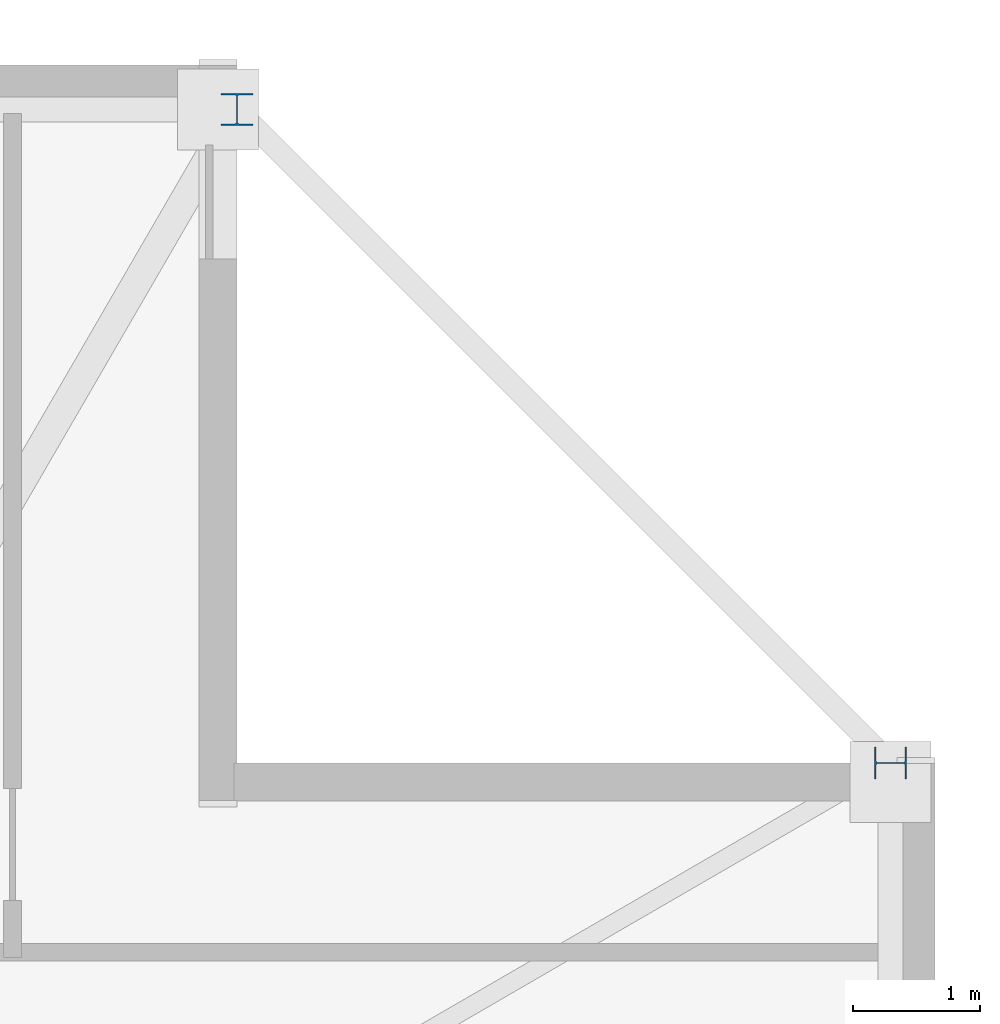
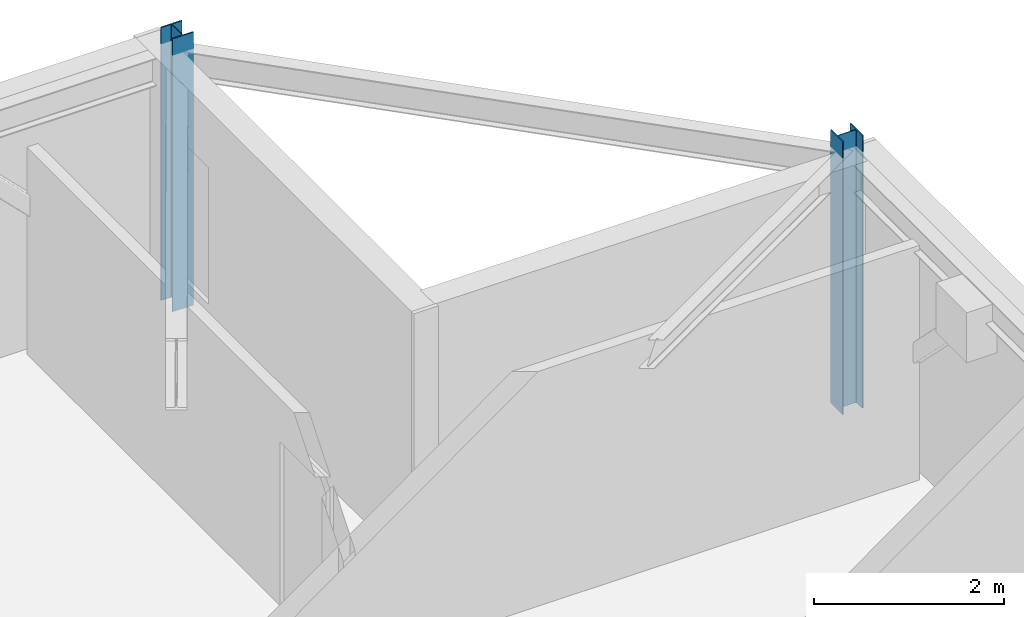
# One storey, part 5 of 15: 2 columns.
"""IFC4 building model written with IfcOpenShell, lengths in metres."""

from ifc_helpers import new_model, si_unit, direction, frame, origin, origin_2d, place, context, subcontext, project, spatial, i_section, extrude, material, material_profile, profile_set, type_object, element, save


model = new_model("IFC4")

# Units and contexts
model_context = context("Model", 3, precision=1e-05, world=origin(), true_north=direction((0.0, 1.0)))
body_context = subcontext(model_context, "Body", "Model", "MODEL_VIEW")
ifc_project = project(units=[si_unit("LENGTHUNIT", "METRE"), si_unit("AREAUNIT", "SQUARE_METRE"), si_unit("VOLUMEUNIT", "CUBIC_METRE"), si_unit("PLANEANGLEUNIT", "RADIAN"), si_unit("MASSUNIT", "GRAM", prefix="KILO")], contexts=[model_context])

# Site, building, storey
site_placement = place(None, origin())
site = spatial("IfcSite", under=ifc_project, at=site_placement, CompositionType="ELEMENT")
building_placement = place(site_placement, origin())
building = spatial("IfcBuilding", under=site, at=building_placement, Name="Cairnveth Concourse Tower", CompositionType="ELEMENT")
storey_placement = place(building_placement, frame((0.0, 0.0, 298.0)))
storey = spatial("IfcBuildingStorey", under=building, at=storey_placement, Name="L82", CompositionType="ELEMENT", Elevation=298.0)

# Columns
ifc_material = material(Name="Steel Grade 350", Category="steel")
ifc_material_profile = material_profile(ifc_material, i_section(OverallWidth=0.25390625, OverallDepth=0.25390625, WebThickness=0.008544921875, FlangeThickness=0.01416015625, FilletRadius=0.012939453125, at=origin_2d()), Name="250UC72.9")
ifc_profile_set = profile_set([ifc_material_profile], Name="Steel Grade 350")
column_type = type_object("IfcColumnType", Name="UNIVERSAL STEEL COLUMN 250UC72.9", PredefinedType="COLUMN", material=ifc_profile_set)
for number, where, z_axis, x_axis, name in (
    (1, (72.64990234375, 54.5, 0.0), (0.0, 0.0, 1.0), (0.0, 1.0, 0.0), "Column P-E4 L82"),
    (2, (67.5, 59.64990234375, 0.0), (0.0, 0.0, 1.0), (1.0, 0.0, 0.0), "Column P-N1 L82"),
):
    element("IfcColumn", number, at=place(storey_placement, frame(where, z_axis=z_axis, x_axis=x_axis)), inside=storey, type_object=column_type, Name=name, PredefinedType="COLUMN", context=body_context, shape_type="SweptSolid", body=[
        extrude(i_section(OverallWidth=0.25390625, OverallDepth=0.25390625, WebThickness=0.008544921875, FlangeThickness=0.01416015625, FilletRadius=0.012939453125, at=origin_2d()), origin(), (0.0, 0.0, 1.0), 3.5),
    ])

save(model, "model.ifc")
